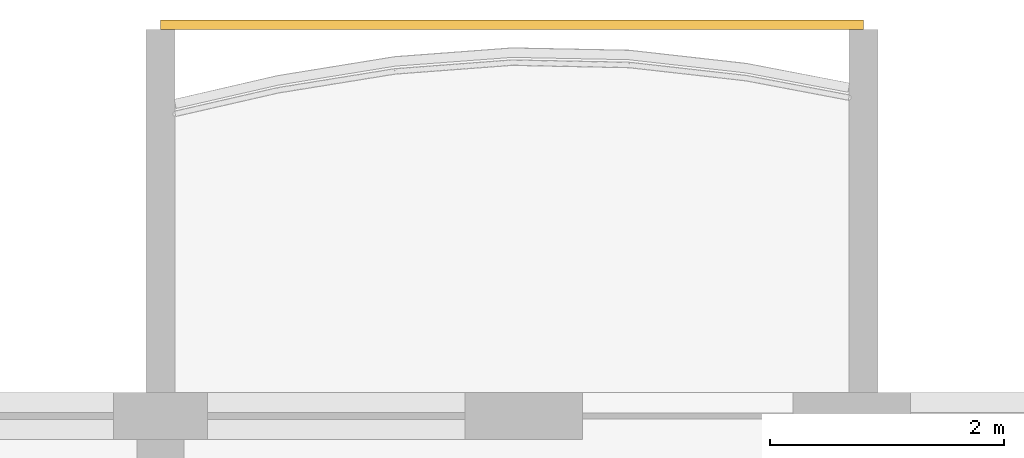
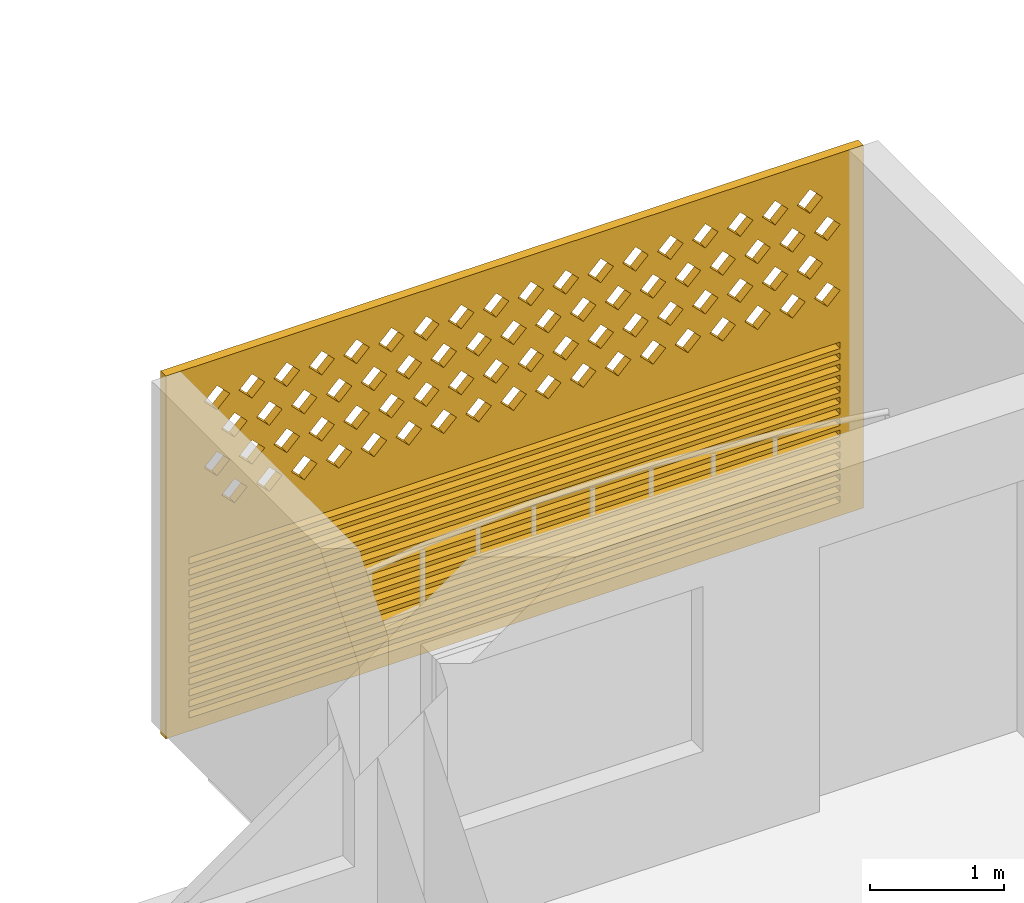
# One storey, part 40 of 44: 1 covering.
"""IFC4 building model written with IfcOpenShell, lengths in metres."""

from ifc_helpers import new_model, si_unit, direction, frame, origin, place, context, subcontext, project, spatial, polyline, outline, extrude, source, transform, mapped, material, material_profile, profile_set, type_object, element, save


model = new_model("IFC4")

# Units and contexts
model_context = context("Model", 3, precision=1e-05, world=origin(), true_north=direction((0.0, 1.0)))
body_context = subcontext(model_context, "Body", "Model", "MODEL_VIEW")
ifc_project = project(units=[si_unit("LENGTHUNIT", "METRE"), si_unit("AREAUNIT", "SQUARE_METRE"), si_unit("VOLUMEUNIT", "CUBIC_METRE"), si_unit("PLANEANGLEUNIT", "RADIAN"), si_unit("MASSUNIT", "GRAM", prefix="KILO")], contexts=[model_context])

# Site, building, storey
site_placement = place(None, origin())
site = spatial("IfcSite", under=ifc_project, at=site_placement, CompositionType="ELEMENT")
building_placement = place(site_placement, origin())
building = spatial("IfcBuilding", under=site, at=building_placement, Name="Poui Terraces", CompositionType="ELEMENT")
storey_placement = place(building_placement, frame((0.0, 0.0, 30.0)))
storey = spatial("IfcBuildingStorey", under=building, at=storey_placement, Name="L07", CompositionType="ELEMENT", Elevation=30.0)

# Covering
ifc_material = material(Name="Terracotta screen", Category="masonry")
ifc_material_profile = material_profile(ifc_material, outline(polyline([(-3.0, -1.64990234375), (3.0, -1.64990234375), (3.0, 1.64990234375), (-3.0, 1.64990234375), (-3.0, -1.64990234375)]), holes=[polyline([(-2.800048828125, 0.39990234375), (-2.68994140625, 0.2900390625), (-2.580078125, 0.39990234375), (-2.68994140625, 0.510009765625), (-2.800048828125, 0.39990234375)]), polyline([(-2.5, 0.39990234375), (-2.389892578125, 0.2900390625), (-2.280029296875, 0.39990234375), (-2.389892578125, 0.510009765625), (-2.5, 0.39990234375)]), polyline([(-2.199951171875, 0.39990234375), (-2.090087890625, 0.2900390625), (-1.97998046875, 0.39990234375), (-2.090087890625, 0.510009765625), (-2.199951171875, 0.39990234375)]), polyline([(-1.89990234375, 0.39990234375), (-1.7900390625, 0.2900390625), (-1.679931640625, 0.39990234375), (-1.7900390625, 0.510009765625), (-1.89990234375, 0.39990234375)]), polyline([(-1.60009765625, 0.39990234375), (-1.489990234375, 0.2900390625), (-1.3798828125, 0.39990234375), (-1.489990234375, 0.510009765625), (-1.60009765625, 0.39990234375)]), polyline([(-1.300048828125, 0.39990234375), (-1.18994140625, 0.2900390625), (-1.080078125, 0.39990234375), (-1.18994140625, 0.510009765625), (-1.300048828125, 0.39990234375)]), polyline([(-1.0, 0.39990234375), (-0.889892578125, 0.2900390625), (-0.780029296875, 0.39990234375), (-0.889892578125, 0.510009765625), (-1.0, 0.39990234375)]), polyline([(-0.699951171875, 0.39990234375), (-0.590087890625, 0.2900390625), (-0.47998046875, 0.39990234375), (-0.590087890625, 0.510009765625), (-0.699951171875, 0.39990234375)]), polyline([(-0.39990234375, 0.39990234375), (-0.2900390625, 0.2900390625), (-0.179931640625, 0.39990234375), (-0.2900390625, 0.510009765625), (-0.39990234375, 0.39990234375)]), polyline([(-0.10009765625, 0.39990234375), (0.010009765625, 0.2900390625), (0.1201171875, 0.39990234375), (0.010009765625, 0.510009765625), (-0.10009765625, 0.39990234375)]), polyline([(0.199951171875, 0.39990234375), (0.31005859375, 0.2900390625), (0.419921875, 0.39990234375), (0.31005859375, 0.510009765625), (0.199951171875, 0.39990234375)]), polyline([(0.5, 0.39990234375), (0.610107421875, 0.2900390625), (0.719970703125, 0.39990234375), (0.610107421875, 0.510009765625), (0.5, 0.39990234375)]), polyline([(0.800048828125, 0.39990234375), (0.909912109375, 0.2900390625), (1.02001953125, 0.39990234375), (0.909912109375, 0.510009765625), (0.800048828125, 0.39990234375)]), polyline([(1.10009765625, 0.39990234375), (1.2099609375, 0.2900390625), (1.320068359375, 0.39990234375), (1.2099609375, 0.510009765625), (1.10009765625, 0.39990234375)]), polyline([(1.39990234375, 0.39990234375), (1.510009765625, 0.2900390625), (1.6201171875, 0.39990234375), (1.510009765625, 0.510009765625), (1.39990234375, 0.39990234375)]), polyline([(1.699951171875, 0.39990234375), (1.81005859375, 0.2900390625), (1.919921875, 0.39990234375), (1.81005859375, 0.510009765625), (1.699951171875, 0.39990234375)]), polyline([(2.0, 0.39990234375), (2.110107421875, 0.2900390625), (2.219970703125, 0.39990234375), (2.110107421875, 0.510009765625), (2.0, 0.39990234375)]), polyline([(2.300048828125, 0.39990234375), (2.409912109375, 0.2900390625), (2.52001953125, 0.39990234375), (2.409912109375, 0.510009765625), (2.300048828125, 0.39990234375)]), polyline([(-2.64990234375, 0.699951171875), (-2.5400390625, 0.590087890625), (-2.429931640625, 0.699951171875), (-2.5400390625, 0.81005859375), (-2.64990234375, 0.699951171875)]), polyline([(-2.35009765625, 0.699951171875), (-2.239990234375, 0.590087890625), (-2.1298828125, 0.699951171875), (-2.239990234375, 0.81005859375), (-2.35009765625, 0.699951171875)]), polyline([(-2.050048828125, 0.699951171875), (-1.93994140625, 0.590087890625), (-1.830078125, 0.699951171875), (-1.93994140625, 0.81005859375), (-2.050048828125, 0.699951171875)]), polyline([(-1.75, 0.699951171875), (-1.639892578125, 0.590087890625), (-1.530029296875, 0.699951171875), (-1.639892578125, 0.81005859375), (-1.75, 0.699951171875)]), polyline([(-1.449951171875, 0.699951171875), (-1.340087890625, 0.590087890625), (-1.22998046875, 0.699951171875), (-1.340087890625, 0.81005859375), (-1.449951171875, 0.699951171875)]), polyline([(-1.14990234375, 0.699951171875), (-1.0400390625, 0.590087890625), (-0.929931640625, 0.699951171875), (-1.0400390625, 0.81005859375), (-1.14990234375, 0.699951171875)]), polyline([(-0.85009765625, 0.699951171875), (-0.739990234375, 0.590087890625), (-0.6298828125, 0.699951171875), (-0.739990234375, 0.81005859375), (-0.85009765625, 0.699951171875)]), polyline([(-0.550048828125, 0.699951171875), (-0.43994140625, 0.590087890625), (-0.330078125, 0.699951171875), (-0.43994140625, 0.81005859375), (-0.550048828125, 0.699951171875)]), polyline([(-0.25, 0.699951171875), (-0.139892578125, 0.590087890625), (-0.030029296875, 0.699951171875), (-0.139892578125, 0.81005859375), (-0.25, 0.699951171875)]), polyline([(0.050048828125, 0.699951171875), (0.159912109375, 0.590087890625), (0.27001953125, 0.699951171875), (0.159912109375, 0.81005859375), (0.050048828125, 0.699951171875)]), polyline([(0.35009765625, 0.699951171875), (0.4599609375, 0.590087890625), (0.570068359375, 0.699951171875), (0.4599609375, 0.81005859375), (0.35009765625, 0.699951171875)]), polyline([(0.64990234375, 0.699951171875), (0.760009765625, 0.590087890625), (0.8701171875, 0.699951171875), (0.760009765625, 0.81005859375), (0.64990234375, 0.699951171875)]), polyline([(0.949951171875, 0.699951171875), (1.06005859375, 0.590087890625), (1.169921875, 0.699951171875), (1.06005859375, 0.81005859375), (0.949951171875, 0.699951171875)]), polyline([(1.25, 0.699951171875), (1.360107421875, 0.590087890625), (1.469970703125, 0.699951171875), (1.360107421875, 0.81005859375), (1.25, 0.699951171875)]), polyline([(1.550048828125, 0.699951171875), (1.659912109375, 0.590087890625), (1.77001953125, 0.699951171875), (1.659912109375, 0.81005859375), (1.550048828125, 0.699951171875)]), polyline([(1.85009765625, 0.699951171875), (1.9599609375, 0.590087890625), (2.070068359375, 0.699951171875), (1.9599609375, 0.81005859375), (1.85009765625, 0.699951171875)]), polyline([(2.14990234375, 0.699951171875), (2.260009765625, 0.590087890625), (2.3701171875, 0.699951171875), (2.260009765625, 0.81005859375), (2.14990234375, 0.699951171875)]), polyline([(2.449951171875, 0.699951171875), (2.56005859375, 0.590087890625), (2.669921875, 0.699951171875), (2.56005859375, 0.81005859375), (2.449951171875, 0.699951171875)]), polyline([(-2.800048828125, 1.0), (-2.68994140625, 0.889892578125), (-2.580078125, 1.0), (-2.68994140625, 1.110107421875), (-2.800048828125, 1.0)]), polyline([(-2.5, 1.0), (-2.389892578125, 0.889892578125), (-2.280029296875, 1.0), (-2.389892578125, 1.110107421875), (-2.5, 1.0)]), polyline([(-2.199951171875, 1.0), (-2.090087890625, 0.889892578125), (-1.97998046875, 1.0), (-2.090087890625, 1.110107421875), (-2.199951171875, 1.0)]), polyline([(-1.89990234375, 1.0), (-1.7900390625, 0.889892578125), (-1.679931640625, 1.0), (-1.7900390625, 1.110107421875), (-1.89990234375, 1.0)]), polyline([(-1.60009765625, 1.0), (-1.489990234375, 0.889892578125), (-1.3798828125, 1.0), (-1.489990234375, 1.110107421875), (-1.60009765625, 1.0)]), polyline([(-1.300048828125, 1.0), (-1.18994140625, 0.889892578125), (-1.080078125, 1.0), (-1.18994140625, 1.110107421875), (-1.300048828125, 1.0)]), polyline([(-1.0, 1.0), (-0.889892578125, 0.889892578125), (-0.780029296875, 1.0), (-0.889892578125, 1.110107421875), (-1.0, 1.0)]), polyline([(-0.699951171875, 1.0), (-0.590087890625, 0.889892578125), (-0.47998046875, 1.0), (-0.590087890625, 1.110107421875), (-0.699951171875, 1.0)]), polyline([(-0.39990234375, 1.0), (-0.2900390625, 0.889892578125), (-0.179931640625, 1.0), (-0.2900390625, 1.110107421875), (-0.39990234375, 1.0)]), polyline([(-0.10009765625, 1.0), (0.010009765625, 0.889892578125), (0.1201171875, 1.0), (0.010009765625, 1.110107421875), (-0.10009765625, 1.0)]), polyline([(0.199951171875, 1.0), (0.31005859375, 0.889892578125), (0.419921875, 1.0), (0.31005859375, 1.110107421875), (0.199951171875, 1.0)]), polyline([(0.5, 1.0), (0.610107421875, 0.889892578125), (0.719970703125, 1.0), (0.610107421875, 1.110107421875), (0.5, 1.0)]), polyline([(0.800048828125, 1.0), (0.909912109375, 0.889892578125), (1.02001953125, 1.0), (0.909912109375, 1.110107421875), (0.800048828125, 1.0)]), polyline([(1.10009765625, 1.0), (1.2099609375, 0.889892578125), (1.320068359375, 1.0), (1.2099609375, 1.110107421875), (1.10009765625, 1.0)]), polyline([(1.39990234375, 1.0), (1.510009765625, 0.889892578125), (1.6201171875, 1.0), (1.510009765625, 1.110107421875), (1.39990234375, 1.0)]), polyline([(1.699951171875, 1.0), (1.81005859375, 0.889892578125), (1.919921875, 1.0), (1.81005859375, 1.110107421875), (1.699951171875, 1.0)]), polyline([(2.0, 1.0), (2.110107421875, 0.889892578125), (2.219970703125, 1.0), (2.110107421875, 1.110107421875), (2.0, 1.0)]), polyline([(2.300048828125, 1.0), (2.409912109375, 0.889892578125), (2.52001953125, 1.0), (2.409912109375, 1.110107421875), (2.300048828125, 1.0)]), polyline([(-2.64990234375, 1.300048828125), (-2.5400390625, 1.18994140625), (-2.429931640625, 1.300048828125), (-2.5400390625, 1.409912109375), (-2.64990234375, 1.300048828125)]), polyline([(-2.35009765625, 1.300048828125), (-2.239990234375, 1.18994140625), (-2.1298828125, 1.300048828125), (-2.239990234375, 1.409912109375), (-2.35009765625, 1.300048828125)]), polyline([(-2.050048828125, 1.300048828125), (-1.93994140625, 1.18994140625), (-1.830078125, 1.300048828125), (-1.93994140625, 1.409912109375), (-2.050048828125, 1.300048828125)]), polyline([(-1.75, 1.300048828125), (-1.639892578125, 1.18994140625), (-1.530029296875, 1.300048828125), (-1.639892578125, 1.409912109375), (-1.75, 1.300048828125)]), polyline([(-1.449951171875, 1.300048828125), (-1.340087890625, 1.18994140625), (-1.22998046875, 1.300048828125), (-1.340087890625, 1.409912109375), (-1.449951171875, 1.300048828125)]), polyline([(-1.14990234375, 1.300048828125), (-1.0400390625, 1.18994140625), (-0.929931640625, 1.300048828125), (-1.0400390625, 1.409912109375), (-1.14990234375, 1.300048828125)]), polyline([(-0.85009765625, 1.300048828125), (-0.739990234375, 1.18994140625), (-0.6298828125, 1.300048828125), (-0.739990234375, 1.409912109375), (-0.85009765625, 1.300048828125)]), polyline([(-0.550048828125, 1.300048828125), (-0.43994140625, 1.18994140625), (-0.330078125, 1.300048828125), (-0.43994140625, 1.409912109375), (-0.550048828125, 1.300048828125)]), polyline([(-0.25, 1.300048828125), (-0.139892578125, 1.18994140625), (-0.030029296875, 1.300048828125), (-0.139892578125, 1.409912109375), (-0.25, 1.300048828125)]), polyline([(0.050048828125, 1.300048828125), (0.159912109375, 1.18994140625), (0.27001953125, 1.300048828125), (0.159912109375, 1.409912109375), (0.050048828125, 1.300048828125)]), polyline([(0.35009765625, 1.300048828125), (0.4599609375, 1.18994140625), (0.570068359375, 1.300048828125), (0.4599609375, 1.409912109375), (0.35009765625, 1.300048828125)]), polyline([(0.64990234375, 1.300048828125), (0.760009765625, 1.18994140625), (0.8701171875, 1.300048828125), (0.760009765625, 1.409912109375), (0.64990234375, 1.300048828125)]), polyline([(0.949951171875, 1.300048828125), (1.06005859375, 1.18994140625), (1.169921875, 1.300048828125), (1.06005859375, 1.409912109375), (0.949951171875, 1.300048828125)]), polyline([(1.25, 1.300048828125), (1.360107421875, 1.18994140625), (1.469970703125, 1.300048828125), (1.360107421875, 1.409912109375), (1.25, 1.300048828125)]), polyline([(1.550048828125, 1.300048828125), (1.659912109375, 1.18994140625), (1.77001953125, 1.300048828125), (1.659912109375, 1.409912109375), (1.550048828125, 1.300048828125)]), polyline([(1.85009765625, 1.300048828125), (1.9599609375, 1.18994140625), (2.070068359375, 1.300048828125), (1.9599609375, 1.409912109375), (1.85009765625, 1.300048828125)]), polyline([(2.14990234375, 1.300048828125), (2.260009765625, 1.18994140625), (2.3701171875, 1.300048828125), (2.260009765625, 1.409912109375), (2.14990234375, 1.300048828125)]), polyline([(2.449951171875, 1.300048828125), (2.56005859375, 1.18994140625), (2.669921875, 1.300048828125), (2.56005859375, 1.409912109375), (2.449951171875, 1.300048828125)]), polyline([(-2.800048828125, -1.530029296875), (2.800048828125, -1.530029296875), (2.800048828125, -1.469970703125), (-2.800048828125, -1.469970703125), (-2.800048828125, -1.530029296875)]), polyline([(-2.800048828125, -1.429931640625), (2.800048828125, -1.429931640625), (2.800048828125, -1.3701171875), (-2.800048828125, -1.3701171875), (-2.800048828125, -1.429931640625)]), polyline([(-2.800048828125, -1.330078125), (2.800048828125, -1.330078125), (2.800048828125, -1.27001953125), (-2.800048828125, -1.27001953125), (-2.800048828125, -1.330078125)]), polyline([(-2.800048828125, -1.22998046875), (2.800048828125, -1.22998046875), (2.800048828125, -1.169921875), (-2.800048828125, -1.169921875), (-2.800048828125, -1.22998046875)]), polyline([(-2.800048828125, -1.1298828125), (2.800048828125, -1.1298828125), (2.800048828125, -1.070068359375), (-2.800048828125, -1.070068359375), (-2.800048828125, -1.1298828125)]), polyline([(-2.800048828125, -1.030029296875), (2.800048828125, -1.030029296875), (2.800048828125, -0.969970703125), (-2.800048828125, -0.969970703125), (-2.800048828125, -1.030029296875)]), polyline([(-2.800048828125, -0.929931640625), (2.800048828125, -0.929931640625), (2.800048828125, -0.8701171875), (-2.800048828125, -0.8701171875), (-2.800048828125, -0.929931640625)]), polyline([(-2.800048828125, -0.830078125), (2.800048828125, -0.830078125), (2.800048828125, -0.77001953125), (-2.800048828125, -0.77001953125), (-2.800048828125, -0.830078125)]), polyline([(-2.800048828125, -0.72998046875), (2.800048828125, -0.72998046875), (2.800048828125, -0.669921875), (-2.800048828125, -0.669921875), (-2.800048828125, -0.72998046875)]), polyline([(-2.800048828125, -0.6298828125), (2.800048828125, -0.6298828125), (2.800048828125, -0.570068359375), (-2.800048828125, -0.570068359375), (-2.800048828125, -0.6298828125)]), polyline([(-2.800048828125, -0.530029296875), (2.800048828125, -0.530029296875), (2.800048828125, -0.469970703125), (-2.800048828125, -0.469970703125), (-2.800048828125, -0.530029296875)]), polyline([(-2.800048828125, -0.429931640625), (2.800048828125, -0.429931640625), (2.800048828125, -0.3701171875), (-2.800048828125, -0.3701171875), (-2.800048828125, -0.429931640625)]), polyline([(-2.800048828125, -0.330078125), (2.800048828125, -0.330078125), (2.800048828125, -0.27001953125), (-2.800048828125, -0.27001953125), (-2.800048828125, -0.330078125)]), polyline([(-2.800048828125, -0.22998046875), (2.800048828125, -0.22998046875), (2.800048828125, -0.169921875), (-2.800048828125, -0.169921875), (-2.800048828125, -0.22998046875)]), polyline([(-2.800048828125, -0.1298828125), (2.800048828125, -0.1298828125), (2.800048828125, -0.070068359375), (-2.800048828125, -0.070068359375), (-2.800048828125, -0.1298828125)])]), Name="TERRACOTTA SCREEN AND JALOUSIE LOUVRE 6000X3300")
ifc_profile_set = profile_set([ifc_material_profile], Name="Terracotta screen")
covering_type = type_object("IfcCoveringType", Name="TERRACOTTA SCREEN AND JALOUSIE LOUVRE 6000X3300", PredefinedType="CLADDING", material=ifc_profile_set)
shared_shape = source(origin(), body_context, "Body", "SweptSolid", [
    extrude(outline(polyline([(-3.0, -1.64990234375), (3.0, -1.64990234375), (3.0, 1.64990234375), (-3.0, 1.64990234375), (-3.0, -1.64990234375)]), holes=[polyline([(-2.800048828125, 0.39990234375), (-2.68994140625, 0.2900390625), (-2.580078125, 0.39990234375), (-2.68994140625, 0.510009765625), (-2.800048828125, 0.39990234375)]), polyline([(-2.5, 0.39990234375), (-2.389892578125, 0.2900390625), (-2.280029296875, 0.39990234375), (-2.389892578125, 0.510009765625), (-2.5, 0.39990234375)]), polyline([(-2.199951171875, 0.39990234375), (-2.090087890625, 0.2900390625), (-1.97998046875, 0.39990234375), (-2.090087890625, 0.510009765625), (-2.199951171875, 0.39990234375)]), polyline([(-1.89990234375, 0.39990234375), (-1.7900390625, 0.2900390625), (-1.679931640625, 0.39990234375), (-1.7900390625, 0.510009765625), (-1.89990234375, 0.39990234375)]), polyline([(-1.60009765625, 0.39990234375), (-1.489990234375, 0.2900390625), (-1.3798828125, 0.39990234375), (-1.489990234375, 0.510009765625), (-1.60009765625, 0.39990234375)]), polyline([(-1.300048828125, 0.39990234375), (-1.18994140625, 0.2900390625), (-1.080078125, 0.39990234375), (-1.18994140625, 0.510009765625), (-1.300048828125, 0.39990234375)]), polyline([(-1.0, 0.39990234375), (-0.889892578125, 0.2900390625), (-0.780029296875, 0.39990234375), (-0.889892578125, 0.510009765625), (-1.0, 0.39990234375)]), polyline([(-0.699951171875, 0.39990234375), (-0.590087890625, 0.2900390625), (-0.47998046875, 0.39990234375), (-0.590087890625, 0.510009765625), (-0.699951171875, 0.39990234375)]), polyline([(-0.39990234375, 0.39990234375), (-0.2900390625, 0.2900390625), (-0.179931640625, 0.39990234375), (-0.2900390625, 0.510009765625), (-0.39990234375, 0.39990234375)]), polyline([(-0.10009765625, 0.39990234375), (0.010009765625, 0.2900390625), (0.1201171875, 0.39990234375), (0.010009765625, 0.510009765625), (-0.10009765625, 0.39990234375)]), polyline([(0.199951171875, 0.39990234375), (0.31005859375, 0.2900390625), (0.419921875, 0.39990234375), (0.31005859375, 0.510009765625), (0.199951171875, 0.39990234375)]), polyline([(0.5, 0.39990234375), (0.610107421875, 0.2900390625), (0.719970703125, 0.39990234375), (0.610107421875, 0.510009765625), (0.5, 0.39990234375)]), polyline([(0.800048828125, 0.39990234375), (0.909912109375, 0.2900390625), (1.02001953125, 0.39990234375), (0.909912109375, 0.510009765625), (0.800048828125, 0.39990234375)]), polyline([(1.10009765625, 0.39990234375), (1.2099609375, 0.2900390625), (1.320068359375, 0.39990234375), (1.2099609375, 0.510009765625), (1.10009765625, 0.39990234375)]), polyline([(1.39990234375, 0.39990234375), (1.510009765625, 0.2900390625), (1.6201171875, 0.39990234375), (1.510009765625, 0.510009765625), (1.39990234375, 0.39990234375)]), polyline([(1.699951171875, 0.39990234375), (1.81005859375, 0.2900390625), (1.919921875, 0.39990234375), (1.81005859375, 0.510009765625), (1.699951171875, 0.39990234375)]), polyline([(2.0, 0.39990234375), (2.110107421875, 0.2900390625), (2.219970703125, 0.39990234375), (2.110107421875, 0.510009765625), (2.0, 0.39990234375)]), polyline([(2.300048828125, 0.39990234375), (2.409912109375, 0.2900390625), (2.52001953125, 0.39990234375), (2.409912109375, 0.510009765625), (2.300048828125, 0.39990234375)]), polyline([(-2.64990234375, 0.699951171875), (-2.5400390625, 0.590087890625), (-2.429931640625, 0.699951171875), (-2.5400390625, 0.81005859375), (-2.64990234375, 0.699951171875)]), polyline([(-2.35009765625, 0.699951171875), (-2.239990234375, 0.590087890625), (-2.1298828125, 0.699951171875), (-2.239990234375, 0.81005859375), (-2.35009765625, 0.699951171875)]), polyline([(-2.050048828125, 0.699951171875), (-1.93994140625, 0.590087890625), (-1.830078125, 0.699951171875), (-1.93994140625, 0.81005859375), (-2.050048828125, 0.699951171875)]), polyline([(-1.75, 0.699951171875), (-1.639892578125, 0.590087890625), (-1.530029296875, 0.699951171875), (-1.639892578125, 0.81005859375), (-1.75, 0.699951171875)]), polyline([(-1.449951171875, 0.699951171875), (-1.340087890625, 0.590087890625), (-1.22998046875, 0.699951171875), (-1.340087890625, 0.81005859375), (-1.449951171875, 0.699951171875)]), polyline([(-1.14990234375, 0.699951171875), (-1.0400390625, 0.590087890625), (-0.929931640625, 0.699951171875), (-1.0400390625, 0.81005859375), (-1.14990234375, 0.699951171875)]), polyline([(-0.85009765625, 0.699951171875), (-0.739990234375, 0.590087890625), (-0.6298828125, 0.699951171875), (-0.739990234375, 0.81005859375), (-0.85009765625, 0.699951171875)]), polyline([(-0.550048828125, 0.699951171875), (-0.43994140625, 0.590087890625), (-0.330078125, 0.699951171875), (-0.43994140625, 0.81005859375), (-0.550048828125, 0.699951171875)]), polyline([(-0.25, 0.699951171875), (-0.139892578125, 0.590087890625), (-0.030029296875, 0.699951171875), (-0.139892578125, 0.81005859375), (-0.25, 0.699951171875)]), polyline([(0.050048828125, 0.699951171875), (0.159912109375, 0.590087890625), (0.27001953125, 0.699951171875), (0.159912109375, 0.81005859375), (0.050048828125, 0.699951171875)]), polyline([(0.35009765625, 0.699951171875), (0.4599609375, 0.590087890625), (0.570068359375, 0.699951171875), (0.4599609375, 0.81005859375), (0.35009765625, 0.699951171875)]), polyline([(0.64990234375, 0.699951171875), (0.760009765625, 0.590087890625), (0.8701171875, 0.699951171875), (0.760009765625, 0.81005859375), (0.64990234375, 0.699951171875)]), polyline([(0.949951171875, 0.699951171875), (1.06005859375, 0.590087890625), (1.169921875, 0.699951171875), (1.06005859375, 0.81005859375), (0.949951171875, 0.699951171875)]), polyline([(1.25, 0.699951171875), (1.360107421875, 0.590087890625), (1.469970703125, 0.699951171875), (1.360107421875, 0.81005859375), (1.25, 0.699951171875)]), polyline([(1.550048828125, 0.699951171875), (1.659912109375, 0.590087890625), (1.77001953125, 0.699951171875), (1.659912109375, 0.81005859375), (1.550048828125, 0.699951171875)]), polyline([(1.85009765625, 0.699951171875), (1.9599609375, 0.590087890625), (2.070068359375, 0.699951171875), (1.9599609375, 0.81005859375), (1.85009765625, 0.699951171875)]), polyline([(2.14990234375, 0.699951171875), (2.260009765625, 0.590087890625), (2.3701171875, 0.699951171875), (2.260009765625, 0.81005859375), (2.14990234375, 0.699951171875)]), polyline([(2.449951171875, 0.699951171875), (2.56005859375, 0.590087890625), (2.669921875, 0.699951171875), (2.56005859375, 0.81005859375), (2.449951171875, 0.699951171875)]), polyline([(-2.800048828125, 1.0), (-2.68994140625, 0.889892578125), (-2.580078125, 1.0), (-2.68994140625, 1.110107421875), (-2.800048828125, 1.0)]), polyline([(-2.5, 1.0), (-2.389892578125, 0.889892578125), (-2.280029296875, 1.0), (-2.389892578125, 1.110107421875), (-2.5, 1.0)]), polyline([(-2.199951171875, 1.0), (-2.090087890625, 0.889892578125), (-1.97998046875, 1.0), (-2.090087890625, 1.110107421875), (-2.199951171875, 1.0)]), polyline([(-1.89990234375, 1.0), (-1.7900390625, 0.889892578125), (-1.679931640625, 1.0), (-1.7900390625, 1.110107421875), (-1.89990234375, 1.0)]), polyline([(-1.60009765625, 1.0), (-1.489990234375, 0.889892578125), (-1.3798828125, 1.0), (-1.489990234375, 1.110107421875), (-1.60009765625, 1.0)]), polyline([(-1.300048828125, 1.0), (-1.18994140625, 0.889892578125), (-1.080078125, 1.0), (-1.18994140625, 1.110107421875), (-1.300048828125, 1.0)]), polyline([(-1.0, 1.0), (-0.889892578125, 0.889892578125), (-0.780029296875, 1.0), (-0.889892578125, 1.110107421875), (-1.0, 1.0)]), polyline([(-0.699951171875, 1.0), (-0.590087890625, 0.889892578125), (-0.47998046875, 1.0), (-0.590087890625, 1.110107421875), (-0.699951171875, 1.0)]), polyline([(-0.39990234375, 1.0), (-0.2900390625, 0.889892578125), (-0.179931640625, 1.0), (-0.2900390625, 1.110107421875), (-0.39990234375, 1.0)]), polyline([(-0.10009765625, 1.0), (0.010009765625, 0.889892578125), (0.1201171875, 1.0), (0.010009765625, 1.110107421875), (-0.10009765625, 1.0)]), polyline([(0.199951171875, 1.0), (0.31005859375, 0.889892578125), (0.419921875, 1.0), (0.31005859375, 1.110107421875), (0.199951171875, 1.0)]), polyline([(0.5, 1.0), (0.610107421875, 0.889892578125), (0.719970703125, 1.0), (0.610107421875, 1.110107421875), (0.5, 1.0)]), polyline([(0.800048828125, 1.0), (0.909912109375, 0.889892578125), (1.02001953125, 1.0), (0.909912109375, 1.110107421875), (0.800048828125, 1.0)]), polyline([(1.10009765625, 1.0), (1.2099609375, 0.889892578125), (1.320068359375, 1.0), (1.2099609375, 1.110107421875), (1.10009765625, 1.0)]), polyline([(1.39990234375, 1.0), (1.510009765625, 0.889892578125), (1.6201171875, 1.0), (1.510009765625, 1.110107421875), (1.39990234375, 1.0)]), polyline([(1.699951171875, 1.0), (1.81005859375, 0.889892578125), (1.919921875, 1.0), (1.81005859375, 1.110107421875), (1.699951171875, 1.0)]), polyline([(2.0, 1.0), (2.110107421875, 0.889892578125), (2.219970703125, 1.0), (2.110107421875, 1.110107421875), (2.0, 1.0)]), polyline([(2.300048828125, 1.0), (2.409912109375, 0.889892578125), (2.52001953125, 1.0), (2.409912109375, 1.110107421875), (2.300048828125, 1.0)]), polyline([(-2.64990234375, 1.300048828125), (-2.5400390625, 1.18994140625), (-2.429931640625, 1.300048828125), (-2.5400390625, 1.409912109375), (-2.64990234375, 1.300048828125)]), polyline([(-2.35009765625, 1.300048828125), (-2.239990234375, 1.18994140625), (-2.1298828125, 1.300048828125), (-2.239990234375, 1.409912109375), (-2.35009765625, 1.300048828125)]), polyline([(-2.050048828125, 1.300048828125), (-1.93994140625, 1.18994140625), (-1.830078125, 1.300048828125), (-1.93994140625, 1.409912109375), (-2.050048828125, 1.300048828125)]), polyline([(-1.75, 1.300048828125), (-1.639892578125, 1.18994140625), (-1.530029296875, 1.300048828125), (-1.639892578125, 1.409912109375), (-1.75, 1.300048828125)]), polyline([(-1.449951171875, 1.300048828125), (-1.340087890625, 1.18994140625), (-1.22998046875, 1.300048828125), (-1.340087890625, 1.409912109375), (-1.449951171875, 1.300048828125)]), polyline([(-1.14990234375, 1.300048828125), (-1.0400390625, 1.18994140625), (-0.929931640625, 1.300048828125), (-1.0400390625, 1.409912109375), (-1.14990234375, 1.300048828125)]), polyline([(-0.85009765625, 1.300048828125), (-0.739990234375, 1.18994140625), (-0.6298828125, 1.300048828125), (-0.739990234375, 1.409912109375), (-0.85009765625, 1.300048828125)]), polyline([(-0.550048828125, 1.300048828125), (-0.43994140625, 1.18994140625), (-0.330078125, 1.300048828125), (-0.43994140625, 1.409912109375), (-0.550048828125, 1.300048828125)]), polyline([(-0.25, 1.300048828125), (-0.139892578125, 1.18994140625), (-0.030029296875, 1.300048828125), (-0.139892578125, 1.409912109375), (-0.25, 1.300048828125)]), polyline([(0.050048828125, 1.300048828125), (0.159912109375, 1.18994140625), (0.27001953125, 1.300048828125), (0.159912109375, 1.409912109375), (0.050048828125, 1.300048828125)]), polyline([(0.35009765625, 1.300048828125), (0.4599609375, 1.18994140625), (0.570068359375, 1.300048828125), (0.4599609375, 1.409912109375), (0.35009765625, 1.300048828125)]), polyline([(0.64990234375, 1.300048828125), (0.760009765625, 1.18994140625), (0.8701171875, 1.300048828125), (0.760009765625, 1.409912109375), (0.64990234375, 1.300048828125)]), polyline([(0.949951171875, 1.300048828125), (1.06005859375, 1.18994140625), (1.169921875, 1.300048828125), (1.06005859375, 1.409912109375), (0.949951171875, 1.300048828125)]), polyline([(1.25, 1.300048828125), (1.360107421875, 1.18994140625), (1.469970703125, 1.300048828125), (1.360107421875, 1.409912109375), (1.25, 1.300048828125)]), polyline([(1.550048828125, 1.300048828125), (1.659912109375, 1.18994140625), (1.77001953125, 1.300048828125), (1.659912109375, 1.409912109375), (1.550048828125, 1.300048828125)]), polyline([(1.85009765625, 1.300048828125), (1.9599609375, 1.18994140625), (2.070068359375, 1.300048828125), (1.9599609375, 1.409912109375), (1.85009765625, 1.300048828125)]), polyline([(2.14990234375, 1.300048828125), (2.260009765625, 1.18994140625), (2.3701171875, 1.300048828125), (2.260009765625, 1.409912109375), (2.14990234375, 1.300048828125)]), polyline([(2.449951171875, 1.300048828125), (2.56005859375, 1.18994140625), (2.669921875, 1.300048828125), (2.56005859375, 1.409912109375), (2.449951171875, 1.300048828125)]), polyline([(-2.800048828125, -1.530029296875), (2.800048828125, -1.530029296875), (2.800048828125, -1.469970703125), (-2.800048828125, -1.469970703125), (-2.800048828125, -1.530029296875)]), polyline([(-2.800048828125, -1.429931640625), (2.800048828125, -1.429931640625), (2.800048828125, -1.3701171875), (-2.800048828125, -1.3701171875), (-2.800048828125, -1.429931640625)]), polyline([(-2.800048828125, -1.330078125), (2.800048828125, -1.330078125), (2.800048828125, -1.27001953125), (-2.800048828125, -1.27001953125), (-2.800048828125, -1.330078125)]), polyline([(-2.800048828125, -1.22998046875), (2.800048828125, -1.22998046875), (2.800048828125, -1.169921875), (-2.800048828125, -1.169921875), (-2.800048828125, -1.22998046875)]), polyline([(-2.800048828125, -1.1298828125), (2.800048828125, -1.1298828125), (2.800048828125, -1.070068359375), (-2.800048828125, -1.070068359375), (-2.800048828125, -1.1298828125)]), polyline([(-2.800048828125, -1.030029296875), (2.800048828125, -1.030029296875), (2.800048828125, -0.969970703125), (-2.800048828125, -0.969970703125), (-2.800048828125, -1.030029296875)]), polyline([(-2.800048828125, -0.929931640625), (2.800048828125, -0.929931640625), (2.800048828125, -0.8701171875), (-2.800048828125, -0.8701171875), (-2.800048828125, -0.929931640625)]), polyline([(-2.800048828125, -0.830078125), (2.800048828125, -0.830078125), (2.800048828125, -0.77001953125), (-2.800048828125, -0.77001953125), (-2.800048828125, -0.830078125)]), polyline([(-2.800048828125, -0.72998046875), (2.800048828125, -0.72998046875), (2.800048828125, -0.669921875), (-2.800048828125, -0.669921875), (-2.800048828125, -0.72998046875)]), polyline([(-2.800048828125, -0.6298828125), (2.800048828125, -0.6298828125), (2.800048828125, -0.570068359375), (-2.800048828125, -0.570068359375), (-2.800048828125, -0.6298828125)]), polyline([(-2.800048828125, -0.530029296875), (2.800048828125, -0.530029296875), (2.800048828125, -0.469970703125), (-2.800048828125, -0.469970703125), (-2.800048828125, -0.530029296875)]), polyline([(-2.800048828125, -0.429931640625), (2.800048828125, -0.429931640625), (2.800048828125, -0.3701171875), (-2.800048828125, -0.3701171875), (-2.800048828125, -0.429931640625)]), polyline([(-2.800048828125, -0.330078125), (2.800048828125, -0.330078125), (2.800048828125, -0.27001953125), (-2.800048828125, -0.27001953125), (-2.800048828125, -0.330078125)]), polyline([(-2.800048828125, -0.22998046875), (2.800048828125, -0.22998046875), (2.800048828125, -0.169921875), (-2.800048828125, -0.169921875), (-2.800048828125, -0.22998046875)]), polyline([(-2.800048828125, -0.1298828125), (2.800048828125, -0.1298828125), (2.800048828125, -0.070068359375), (-2.800048828125, -0.070068359375), (-2.800048828125, -0.1298828125)])]), origin(), (0.0, 0.0, 1.0), 0.079833984375),
])
covering_placement = place(storey_placement, frame((75.0, 48.10009765625, 1.449951171875), z_axis=(0.0, 1.0, 0.0), x_axis=(-1.0, 0.0, 0.0)))
element("IfcCovering", 1, at=covering_placement, inside=storey, type_object=covering_type, Name="SOLAR SCREEN AND JALOUSIE LOUVRE", PredefinedType="CLADDING", context=body_context, shape_type="MappedRepresentation", body=[
    mapped(shared_shape, transform((0.0, 0.0, 0.0))),
])

save(model, "model.ifc")
